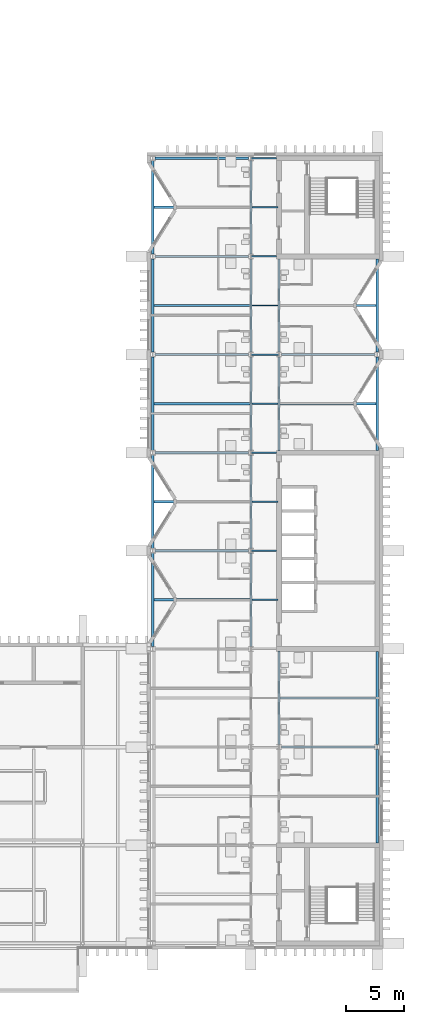
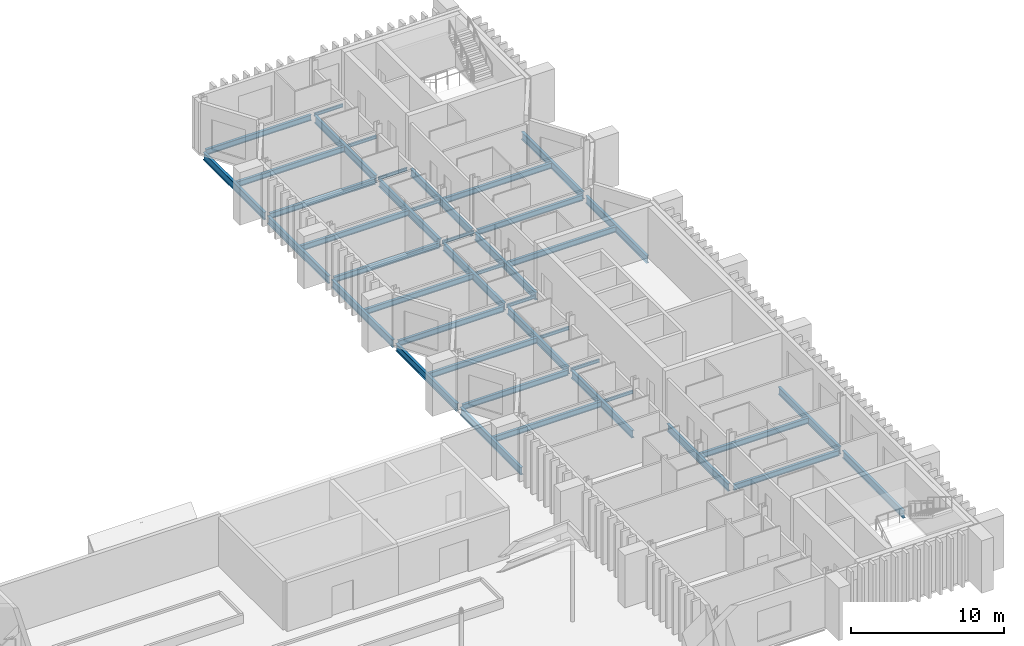
# One storey, part 24 of 51: 42 beams.
"""IFC4 building model written with IfcOpenShell, lengths in metres."""

from ifc_helpers import new_model, si_unit, direction, frame, origin, origin_2d, place, context, subcontext, project, spatial, i_section, extrude, material, material_profile, profile_set, type_object, element, save


model = new_model("IFC4")

# Units and contexts
model_context = context("Model", 3, precision=1e-05, world=origin(), true_north=direction((0.0, 1.0)))
body_context = subcontext(model_context, "Body", "Model", "MODEL_VIEW")
ifc_project = project(units=[si_unit("LENGTHUNIT", "METRE"), si_unit("AREAUNIT", "SQUARE_METRE"), si_unit("VOLUMEUNIT", "CUBIC_METRE"), si_unit("PLANEANGLEUNIT", "RADIAN"), si_unit("MASSUNIT", "GRAM", prefix="KILO")], contexts=[model_context])

# Site, building, storey
site_placement = place(None, origin())
site = spatial("IfcSite", under=ifc_project, at=site_placement, CompositionType="ELEMENT")
building_placement = place(site_placement, origin())
building = spatial("IfcBuilding", under=site, at=building_placement, Name="Cresset Court Congress Hotel", CompositionType="ELEMENT")
storey_placement = place(building_placement, frame((0.0, 0.0, 18.60009765625)))
storey = spatial("IfcBuildingStorey", under=building, at=storey_placement, Name="L04", CompositionType="ELEMENT", Elevation=18.60009765625)

# Beams
ifc_material_1 = material(Name="Structural steel Q355B", Category="steel")
ifc_material_profile_1 = material_profile(ifc_material_1, i_section(OverallWidth=0.198974609375, OverallDepth=0.446044921875, WebThickness=0.008056640625, FlangeThickness=0.011962890625, FilletRadius=0.012939453125, at=origin_2d()), Name="HN446x199x8x12")
ifc_profile_set_1 = profile_set([ifc_material_profile_1], Name="Structural steel Q355B")
beam_type_1 = type_object("IfcBeamType", Name="Steel beam HN446x199x8x12", PredefinedType="BEAM", material=ifc_profile_set_1)
beam_1_placement = place(storey_placement, frame((168.202392578125, 16.800048828125, -0.373046875), z_axis=(1.0, 0.0, 0.0), x_axis=(0.0, 1.0, 0.0)))
element("IfcBeam", 1, at=beam_1_placement, inside=storey, type_object=beam_type_1, Name="A.bm.L04.E.frame0.2", PredefinedType="BEAM", context=body_context, shape_type="SweptSolid", body=[
    extrude(i_section(OverallWidth=0.198974609375, OverallDepth=0.446044921875, WebThickness=0.008056640625, FlangeThickness=0.011962890625, FilletRadius=0.012939453125, at=origin_2d()), origin(), (0.0, 0.0, 1.0), 7.9951171875),
])
for number, where, z_axis, x_axis, name in (
    (2, (168.10009765625, 21.0, -0.373046875), (1.0, 0.0, 0.0), (0.0, 1.0, 0.0), "A.bm.L04.E.mid.2"),
    (3, (157.300048828125, 29.39990234375, -0.373046875), (1.0, 0.0, 0.0), (0.0, 1.0, 0.0), "A.bm.L04.W.mid.3"),
):
    element("IfcBeam", number, at=place(storey_placement, frame(where, z_axis=z_axis, x_axis=x_axis)), inside=storey, type_object=beam_type_1, Name=name, PredefinedType="BEAM", context=body_context, shape_type="SweptSolid", body=[
        extrude(i_section(OverallWidth=0.198974609375, OverallDepth=0.446044921875, WebThickness=0.008056640625, FlangeThickness=0.011962890625, FilletRadius=0.012939453125, at=origin_2d()), origin(), (0.0, 0.0, 1.0), 8.199951171875),
    ])
beam_2_placement = place(storey_placement, frame((157.402587890625, 33.60009765625, -0.373046875), z_axis=(1.0, 0.0, 0.0), x_axis=(0.0, 1.0, 0.0)))
element("IfcBeam", 4, at=beam_2_placement, inside=storey, type_object=beam_type_1, Name="A.bm.L04.W.frame0.4", PredefinedType="BEAM", context=body_context, shape_type="SweptSolid", body=[
    extrude(i_section(OverallWidth=0.198974609375, OverallDepth=0.446044921875, WebThickness=0.008056640625, FlangeThickness=0.011962890625, FilletRadius=0.012939453125, at=origin_2d()), origin(), (0.0, 0.0, 1.0), 7.994873046875),
])
beam_3_placement = place(storey_placement, frame((157.300048828125, 37.800048828125, -0.373046875), z_axis=(1.0, 0.0, 0.0), x_axis=(0.0, 1.0, 0.0)))
element("IfcBeam", 5, at=beam_3_placement, inside=storey, type_object=beam_type_1, Name="A.bm.L04.W.mid.4", PredefinedType="BEAM", context=body_context, shape_type="SweptSolid", body=[
    extrude(i_section(OverallWidth=0.198974609375, OverallDepth=0.446044921875, WebThickness=0.008056640625, FlangeThickness=0.011962890625, FilletRadius=0.012939453125, at=origin_2d()), origin(), (0.0, 0.0, 1.0), 8.199951171875),
])
beam_4_placement = place(storey_placement, frame((157.402587890625, 42.0, -0.373046875), z_axis=(1.0, 0.0, 0.0), x_axis=(0.0, 1.0, 0.0)))
element("IfcBeam", 6, at=beam_4_placement, inside=storey, type_object=beam_type_1, Name="A.bm.L04.W.frame0.5", PredefinedType="BEAM", context=body_context, shape_type="SweptSolid", body=[
    extrude(i_section(OverallWidth=0.198974609375, OverallDepth=0.446044921875, WebThickness=0.008056640625, FlangeThickness=0.011962890625, FilletRadius=0.012939453125, at=origin_2d()), origin(), (0.0, 0.0, 1.0), 7.994873046875),
])
for number, where, z_axis, x_axis, name in (
    (7, (157.300048828125, 46.199951171875, -0.373046875), (1.0, 0.0, 0.0), (0.0, 1.0, 0.0), "A.bm.L04.W.mid.5"),
    (8, (168.10009765625, 46.199951171875, -0.373046875), (1.0, 0.0, 0.0), (0.0, 1.0, 0.0), "A.bm.L04.E.mid.5"),
):
    element("IfcBeam", number, at=place(storey_placement, frame(where, z_axis=z_axis, x_axis=x_axis)), inside=storey, type_object=beam_type_1, Name=name, PredefinedType="BEAM", context=body_context, shape_type="SweptSolid", body=[
        extrude(i_section(OverallWidth=0.198974609375, OverallDepth=0.446044921875, WebThickness=0.008056640625, FlangeThickness=0.011962890625, FilletRadius=0.012939453125, at=origin_2d()), origin(), (0.0, 0.0, 1.0), 8.199951171875),
    ])
beam_5_placement = place(storey_placement, frame((157.402587890625, 50.39990234375, -0.373046875), z_axis=(1.0, 0.0, 0.0), x_axis=(0.0, 1.0, 0.0)))
element("IfcBeam", 9, at=beam_5_placement, inside=storey, type_object=beam_type_1, Name="A.bm.L04.W.frame0.6", PredefinedType="BEAM", context=body_context, shape_type="SweptSolid", body=[
    extrude(i_section(OverallWidth=0.198974609375, OverallDepth=0.446044921875, WebThickness=0.008056640625, FlangeThickness=0.011962890625, FilletRadius=0.012939453125, at=origin_2d()), origin(), (0.0, 0.0, 1.0), 7.994873046875),
])
beam_6_placement = place(storey_placement, frame((168.202392578125, 50.39990234375, -0.373046875), z_axis=(1.0, 0.0, 0.0), x_axis=(0.0, 1.0, 0.0)))
element("IfcBeam", 10, at=beam_6_placement, inside=storey, type_object=beam_type_1, Name="A.bm.L04.E.frame0.6", PredefinedType="BEAM", context=body_context, shape_type="SweptSolid", body=[
    extrude(i_section(OverallWidth=0.198974609375, OverallDepth=0.446044921875, WebThickness=0.008056640625, FlangeThickness=0.011962890625, FilletRadius=0.012939453125, at=origin_2d()), origin(), (0.0, 0.0, 1.0), 7.9951171875),
])
for number, where, z_axis, x_axis, name in (
    (11, (157.300048828125, 54.60009765625, -0.373046875), (1.0, 0.0, 0.0), (0.0, 1.0, 0.0), "A.bm.L04.W.mid.6"),
    (12, (168.10009765625, 54.60009765625, -0.373046875), (1.0, 0.0, 0.0), (0.0, 1.0, 0.0), "A.bm.L04.E.mid.6"),
):
    element("IfcBeam", number, at=place(storey_placement, frame(where, z_axis=z_axis, x_axis=x_axis)), inside=storey, type_object=beam_type_1, Name=name, PredefinedType="BEAM", context=body_context, shape_type="SweptSolid", body=[
        extrude(i_section(OverallWidth=0.198974609375, OverallDepth=0.446044921875, WebThickness=0.008056640625, FlangeThickness=0.011962890625, FilletRadius=0.012939453125, at=origin_2d()), origin(), (0.0, 0.0, 1.0), 8.199951171875),
    ])
beam_7_placement = place(storey_placement, frame((157.402587890625, 58.800048828125, -0.373046875), z_axis=(1.0, 0.0, 0.0), x_axis=(0.0, 1.0, 0.0)))
element("IfcBeam", 13, at=beam_7_placement, inside=storey, type_object=beam_type_1, Name="A.bm.L04.W.frame0.7", PredefinedType="BEAM", context=body_context, shape_type="SweptSolid", body=[
    extrude(i_section(OverallWidth=0.198974609375, OverallDepth=0.446044921875, WebThickness=0.008056640625, FlangeThickness=0.011962890625, FilletRadius=0.012939453125, at=origin_2d()), origin(), (0.0, 0.0, 1.0), 7.994873046875),
])
beam_8_placement = place(storey_placement, frame((157.300048828125, 63.0, -0.373046875), z_axis=(1.0, 0.0, 0.0), x_axis=(0.0, 1.0, 0.0)))
element("IfcBeam", 14, at=beam_8_placement, inside=storey, type_object=beam_type_1, Name="A.bm.L04.W.mid.7", PredefinedType="BEAM", context=body_context, shape_type="SweptSolid", body=[
    extrude(i_section(OverallWidth=0.198974609375, OverallDepth=0.446044921875, WebThickness=0.008056640625, FlangeThickness=0.011962890625, FilletRadius=0.012939453125, at=origin_2d()), origin(), (0.0, 0.0, 1.0), 8.199951171875),
])
beam_9_placement = place(storey_placement, frame((157.402587890625, 67.199951171875, -0.373046875), z_axis=(1.0, 0.0, 0.0), x_axis=(0.0, 1.0, 0.0)))
element("IfcBeam", 15, at=beam_9_placement, inside=storey, type_object=beam_type_1, Name="A.bm.L04.W.frame1.7", PredefinedType="BEAM", context=body_context, shape_type="SweptSolid", body=[
    extrude(i_section(OverallWidth=0.198974609375, OverallDepth=0.446044921875, WebThickness=0.008056640625, FlangeThickness=0.011962890625, FilletRadius=0.012939453125, at=origin_2d()), origin(), (0.0, 0.0, 1.0), 7.994873046875),
])
ifc_material_2 = material(Name="Structural steel Q355B", Category="steel")
ifc_material_profile_2 = material_profile(ifc_material_2, i_section(OverallWidth=0.125, OverallDepth=0.25, WebThickness=0.006103515625, FlangeThickness=0.009033203125, FilletRadius=0.012939453125, at=origin_2d()), Name="HN250x125x6x9")
ifc_profile_set_2 = profile_set([ifc_material_profile_2], Name="Structural steel Q355B")
beam_type_2 = type_object("IfcBeamType", Name="Steel corridor beam HN250x125x6x9", PredefinedType="BEAM", material=ifc_profile_set_2)
beam_10_placement = place(storey_placement, frame((165.699951171875, 29.39990234375, -0.275146484375), z_axis=(1.0, 0.0, 0.0), x_axis=(0.0, 1.0, 0.0)))
element("IfcBeam", 16, at=beam_10_placement, inside=storey, type_object=beam_type_2, Name="A.bm.L04.C.mid.3", PredefinedType="BEAM", context=body_context, shape_type="SweptSolid", body=[
    extrude(i_section(OverallWidth=0.125, OverallDepth=0.25, WebThickness=0.006103515625, FlangeThickness=0.009033203125, FilletRadius=0.012939453125, at=origin_2d()), origin(), (0.0, 0.0, 1.0), 2.199951171875),
])
beam_11_placement = place(storey_placement, frame((165.60888671875, 33.60009765625, -0.275146484375), z_axis=(1.0, 0.0, 0.0), x_axis=(0.0, 1.0, 0.0)))
element("IfcBeam", 17, at=beam_11_placement, inside=storey, type_object=beam_type_2, Name="A.bm.L04.C.frame0.4", PredefinedType="BEAM", context=body_context, shape_type="SweptSolid", body=[
    extrude(i_section(OverallWidth=0.125, OverallDepth=0.25, WebThickness=0.006103515625, FlangeThickness=0.009033203125, FilletRadius=0.012939453125, at=origin_2d()), origin(), (0.0, 0.0, 1.0), 2.191162109375),
])
beam_12_placement = place(storey_placement, frame((165.699951171875, 37.800048828125, -0.275146484375), z_axis=(1.0, 0.0, 0.0), x_axis=(0.0, 1.0, 0.0)))
element("IfcBeam", 18, at=beam_12_placement, inside=storey, type_object=beam_type_2, Name="A.bm.L04.C.mid.4", PredefinedType="BEAM", context=body_context, shape_type="SweptSolid", body=[
    extrude(i_section(OverallWidth=0.125, OverallDepth=0.25, WebThickness=0.006103515625, FlangeThickness=0.009033203125, FilletRadius=0.012939453125, at=origin_2d()), origin(), (0.0, 0.0, 1.0), 2.199951171875),
])
beam_13_placement = place(storey_placement, frame((165.60888671875, 42.0, -0.275146484375), z_axis=(1.0, 0.0, 0.0), x_axis=(0.0, 1.0, 0.0)))
element("IfcBeam", 19, at=beam_13_placement, inside=storey, type_object=beam_type_2, Name="A.bm.L04.C.frame0.5", PredefinedType="BEAM", context=body_context, shape_type="SweptSolid", body=[
    extrude(i_section(OverallWidth=0.125, OverallDepth=0.25, WebThickness=0.006103515625, FlangeThickness=0.009033203125, FilletRadius=0.012939453125, at=origin_2d()), origin(), (0.0, 0.0, 1.0), 2.191162109375),
])
beam_14_placement = place(storey_placement, frame((165.699951171875, 46.199951171875, -0.275146484375), z_axis=(1.0, 0.0, 0.0), x_axis=(0.0, 1.0, 0.0)))
element("IfcBeam", 20, at=beam_14_placement, inside=storey, type_object=beam_type_2, Name="A.bm.L04.C.mid.5", PredefinedType="BEAM", context=body_context, shape_type="SweptSolid", body=[
    extrude(i_section(OverallWidth=0.125, OverallDepth=0.25, WebThickness=0.006103515625, FlangeThickness=0.009033203125, FilletRadius=0.012939453125, at=origin_2d()), origin(), (0.0, 0.0, 1.0), 2.199951171875),
])
beam_15_placement = place(storey_placement, frame((165.60888671875, 50.39990234375, -0.275146484375), z_axis=(1.0, 0.0, 0.0), x_axis=(0.0, 1.0, 0.0)))
element("IfcBeam", 21, at=beam_15_placement, inside=storey, type_object=beam_type_2, Name="A.bm.L04.C.frame0.6", PredefinedType="BEAM", context=body_context, shape_type="SweptSolid", body=[
    extrude(i_section(OverallWidth=0.125, OverallDepth=0.25, WebThickness=0.006103515625, FlangeThickness=0.009033203125, FilletRadius=0.012939453125, at=origin_2d()), origin(), (0.0, 0.0, 1.0), 2.382080078125),
])
beam_16_placement = place(storey_placement, frame((165.699951171875, 54.60009765625, -0.275146484375), z_axis=(1.0, 0.0, 0.0), x_axis=(0.0, 1.0, 0.0)))
element("IfcBeam", 22, at=beam_16_placement, inside=storey, type_object=beam_type_2, Name="A.bm.L04.C.mid.6", PredefinedType="BEAM", context=body_context, shape_type="SweptSolid", body=[
    extrude(i_section(OverallWidth=0.125, OverallDepth=0.25, WebThickness=0.006103515625, FlangeThickness=0.009033203125, FilletRadius=0.012939453125, at=origin_2d()), origin(), (0.0, 0.0, 1.0), 2.199951171875),
])
beam_17_placement = place(storey_placement, frame((165.60888671875, 58.800048828125, -0.275146484375), z_axis=(1.0, 0.0, 0.0), x_axis=(0.0, 1.0, 0.0)))
element("IfcBeam", 23, at=beam_17_placement, inside=storey, type_object=beam_type_2, Name="A.bm.L04.C.frame0.7", PredefinedType="BEAM", context=body_context, shape_type="SweptSolid", body=[
    extrude(i_section(OverallWidth=0.125, OverallDepth=0.25, WebThickness=0.006103515625, FlangeThickness=0.009033203125, FilletRadius=0.012939453125, at=origin_2d()), origin(), (0.0, 0.0, 1.0), 2.191162109375),
])
beam_18_placement = place(storey_placement, frame((165.699951171875, 63.0, -0.275146484375), z_axis=(1.0, 0.0, 0.0), x_axis=(0.0, 1.0, 0.0)))
element("IfcBeam", 24, at=beam_18_placement, inside=storey, type_object=beam_type_2, Name="A.bm.L04.C.mid.7", PredefinedType="BEAM", context=body_context, shape_type="SweptSolid", body=[
    extrude(i_section(OverallWidth=0.125, OverallDepth=0.25, WebThickness=0.006103515625, FlangeThickness=0.009033203125, FilletRadius=0.012939453125, at=origin_2d()), origin(), (0.0, 0.0, 1.0), 2.199951171875),
])
beam_19_placement = place(storey_placement, frame((165.60888671875, 67.199951171875, -0.275146484375), z_axis=(1.0, 0.0, 0.0), x_axis=(0.0, 1.0, 0.0)))
element("IfcBeam", 25, at=beam_19_placement, inside=storey, type_object=beam_type_2, Name="A.bm.L04.C.frame1.7", PredefinedType="BEAM", context=body_context, shape_type="SweptSolid", body=[
    extrude(i_section(OverallWidth=0.125, OverallDepth=0.25, WebThickness=0.006103515625, FlangeThickness=0.009033203125, FilletRadius=0.012939453125, at=origin_2d()), origin(), (0.0, 0.0, 1.0), 2.191162109375),
])
ifc_material_3 = material(Name="Structural steel Q355B", Category="steel")
ifc_material_profile_3 = material_profile(ifc_material_3, i_section(OverallWidth=0.199951171875, OverallDepth=0.60009765625, WebThickness=0.010986328125, FlangeThickness=0.01708984375, FilletRadius=0.012939453125, at=origin_2d()), Name="HN600x200x11x17")
ifc_profile_set_3 = profile_set([ifc_material_profile_3], Name="Structural steel Q355B")
beam_type_3 = type_object("IfcBeamType", Name="Steel girder HN600x200x11x17", PredefinedType="BEAM", material=ifc_profile_set_3)
for number, where, z_axis, x_axis, name in (
    (26, (157.199951171875, 25.406982421875, -0.4501953125), (0.0, 1.0, 0.0), (-1.0, 0.0, 0.0), "A.gir.L04.0.3"),
    (27, (157.199951171875, 33.806884765625, -0.4501953125), (0.0, 1.0, 0.0), (-1.0, 0.0, 0.0), "A.gir.L04.0.4"),
    (28, (157.199951171875, 42.20703125, -0.4501953125), (0.0, 1.0, 0.0), (-1.0, 0.0, 0.0), "A.gir.L04.0.5"),
    (29, (157.199951171875, 50.60693359375, -0.4501953125), (0.0, 1.0, 0.0), (-1.0, 0.0, 0.0), "A.gir.L04.0.6"),
):
    element("IfcBeam", number, at=place(storey_placement, frame(where, z_axis=z_axis, x_axis=x_axis)), inside=storey, type_object=beam_type_3, Name=name, PredefinedType="BEAM", context=body_context, shape_type="SweptSolid", body=[
        extrude(i_section(OverallWidth=0.199951171875, OverallDepth=0.60009765625, WebThickness=0.010986328125, FlangeThickness=0.01708984375, FilletRadius=0.012939453125, at=origin_2d()), origin(), (0.0, 0.0, 1.0), 7.986083984375),
    ])
beam_20_placement = place(storey_placement, frame((157.199951171875, 59.007080078125, -0.4501953125), z_axis=(0.0, 1.0, 0.0), x_axis=(-1.0, 0.0, 0.0)))
element("IfcBeam", 30, at=beam_20_placement, inside=storey, type_object=beam_type_3, Name="A.gir.L04.0.7", PredefinedType="BEAM", context=body_context, shape_type="SweptSolid", body=[
    extrude(i_section(OverallWidth=0.199951171875, OverallDepth=0.60009765625, WebThickness=0.010986328125, FlangeThickness=0.01708984375, FilletRadius=0.012939453125, at=origin_2d()), origin(), (0.0, 0.0, 1.0), 7.98583984375),
])
for number, where, z_axis, x_axis, name in (
    (31, (165.60009765625, 25.406982421875, -0.4501953125), (0.0, 1.0, 0.0), (-1.0, 0.0, 0.0), "A.gir.L04.1.3"),
    (32, (165.60009765625, 33.806884765625, -0.4501953125), (0.0, 1.0, 0.0), (-1.0, 0.0, 0.0), "A.gir.L04.1.4"),
    (33, (165.60009765625, 42.20703125, -0.4501953125), (0.0, 1.0, 0.0), (-1.0, 0.0, 0.0), "A.gir.L04.1.5"),
    (34, (165.60009765625, 50.60693359375, -0.4501953125), (0.0, 1.0, 0.0), (-1.0, 0.0, 0.0), "A.gir.L04.1.6"),
):
    element("IfcBeam", number, at=place(storey_placement, frame(where, z_axis=z_axis, x_axis=x_axis)), inside=storey, type_object=beam_type_3, Name=name, PredefinedType="BEAM", context=body_context, shape_type="SweptSolid", body=[
        extrude(i_section(OverallWidth=0.199951171875, OverallDepth=0.60009765625, WebThickness=0.010986328125, FlangeThickness=0.01708984375, FilletRadius=0.012939453125, at=origin_2d()), origin(), (0.0, 0.0, 1.0), 7.986083984375),
    ])
beam_21_placement = place(storey_placement, frame((165.60009765625, 59.007080078125, -0.4501953125), z_axis=(0.0, 1.0, 0.0), x_axis=(-1.0, 0.0, 0.0)))
element("IfcBeam", 35, at=beam_21_placement, inside=storey, type_object=beam_type_3, Name="A.gir.L04.1.7", PredefinedType="BEAM", context=body_context, shape_type="SweptSolid", body=[
    extrude(i_section(OverallWidth=0.199951171875, OverallDepth=0.60009765625, WebThickness=0.010986328125, FlangeThickness=0.01708984375, FilletRadius=0.012939453125, at=origin_2d()), origin(), (0.0, 0.0, 1.0), 7.98583984375),
])
beam_22_placement = place(storey_placement, frame((168.0, 17.007080078125, -0.4501953125), z_axis=(0.0, 1.0, 0.0), x_axis=(-1.0, 0.0, 0.0)))
element("IfcBeam", 36, at=beam_22_placement, inside=storey, type_object=beam_type_3, Name="A.gir.L04.2.2", PredefinedType="BEAM", context=body_context, shape_type="SweptSolid", body=[
    extrude(i_section(OverallWidth=0.199951171875, OverallDepth=0.60009765625, WebThickness=0.010986328125, FlangeThickness=0.01708984375, FilletRadius=0.012939453125, at=origin_2d()), origin(), (0.0, 0.0, 1.0), 7.992919921875),
])
for number, where, z_axis, x_axis, name in (
    (37, (168.0, 42.199951171875, -0.4501953125), (0.0, 1.0, 0.0), (-1.0, 0.0, 0.0), "A.gir.L04.2.5"),
    (38, (168.0, 50.60693359375, -0.4501953125), (0.0, 1.0, 0.0), (-1.0, 0.0, 0.0), "A.gir.L04.2.6"),
):
    element("IfcBeam", number, at=place(storey_placement, frame(where, z_axis=z_axis, x_axis=x_axis)), inside=storey, type_object=beam_type_3, Name=name, PredefinedType="BEAM", context=body_context, shape_type="SweptSolid", body=[
        extrude(i_section(OverallWidth=0.199951171875, OverallDepth=0.60009765625, WebThickness=0.010986328125, FlangeThickness=0.01708984375, FilletRadius=0.012939453125, at=origin_2d()), origin(), (0.0, 0.0, 1.0), 7.9931640625),
    ])
for number, where, z_axis, x_axis, name in (
    (39, (176.39990234375, 8.60009765625, -0.4501953125), (0.0, 1.0, 0.0), (-1.0, 0.0, 0.0), "A.gir.L04.3.1"),
    (40, (176.39990234375, 17.007080078125, -0.4501953125), (0.0, 1.0, 0.0), (-1.0, 0.0, 0.0), "A.gir.L04.3.2"),
):
    element("IfcBeam", number, at=place(storey_placement, frame(where, z_axis=z_axis, x_axis=x_axis)), inside=storey, type_object=beam_type_3, Name=name, PredefinedType="BEAM", context=body_context, shape_type="SweptSolid", body=[
        extrude(i_section(OverallWidth=0.199951171875, OverallDepth=0.60009765625, WebThickness=0.010986328125, FlangeThickness=0.01708984375, FilletRadius=0.012939453125, at=origin_2d()), origin(), (0.0, 0.0, 1.0), 7.992919921875),
    ])
for number, where, z_axis, x_axis, name in (
    (41, (176.39990234375, 42.199951171875, -0.4501953125), (0.0, 1.0, 0.0), (-1.0, 0.0, 0.0), "A.gir.L04.3.5"),
    (42, (176.39990234375, 50.60693359375, -0.4501953125), (0.0, 1.0, 0.0), (-1.0, 0.0, 0.0), "A.gir.L04.3.6"),
):
    element("IfcBeam", number, at=place(storey_placement, frame(where, z_axis=z_axis, x_axis=x_axis)), inside=storey, type_object=beam_type_3, Name=name, PredefinedType="BEAM", context=body_context, shape_type="SweptSolid", body=[
        extrude(i_section(OverallWidth=0.199951171875, OverallDepth=0.60009765625, WebThickness=0.010986328125, FlangeThickness=0.01708984375, FilletRadius=0.012939453125, at=origin_2d()), origin(), (0.0, 0.0, 1.0), 7.9931640625),
    ])

save(model, "model.ifc")
